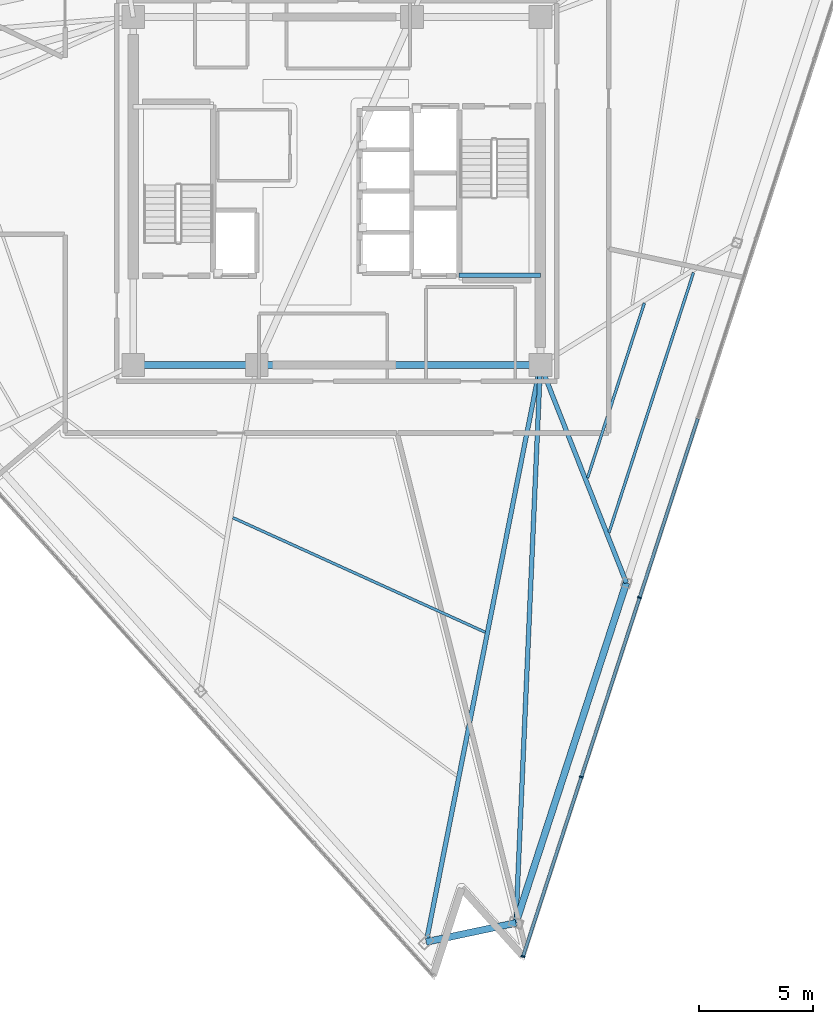
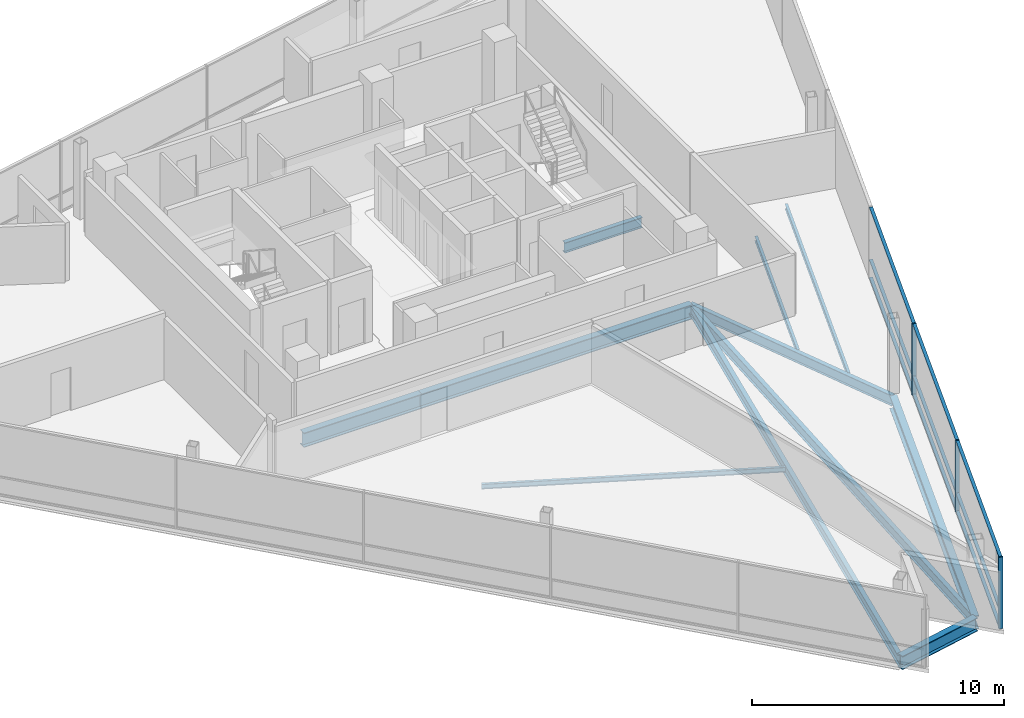
# One storey, part 4 of 15: 12 members, 11 beams, 1 element without a shape of its own.
"""IFC4 building model written with IfcOpenShell, lengths in metres."""

from ifc_helpers import new_model, si_unit, direction, frame, origin, origin_2d, place, context, subcontext, project, spatial, rectangle, i_section, extrude, material, layer, layer_set, material_profile, profile_set, type_object, element, aggregate, save


model = new_model("IFC4")

# Units and contexts
model_context = context("Model", 3, precision=1e-05, world=origin(), true_north=direction((0.0, 1.0)))
body_context = subcontext(model_context, "Body", "Model", "MODEL_VIEW")
ifc_project = project(units=[si_unit("LENGTHUNIT", "METRE"), si_unit("AREAUNIT", "SQUARE_METRE"), si_unit("VOLUMEUNIT", "CUBIC_METRE"), si_unit("PLANEANGLEUNIT", "RADIAN"), si_unit("MASSUNIT", "GRAM", prefix="KILO")], contexts=[model_context])

# Site, building, storey
site_placement = place(None, origin())
site = spatial("IfcSite", under=ifc_project, at=site_placement, CompositionType="ELEMENT")
building_placement = place(site_placement, origin())
building = spatial("IfcBuilding", under=site, at=building_placement, Name="Tharavind Bronze Gate", CompositionType="ELEMENT")
storey_placement = place(building_placement, frame((0.0, 0.0, 290.699951171875)))
storey = spatial("IfcBuildingStorey", under=building, at=storey_placement, Name="L75", CompositionType="ELEMENT", Elevation=290.699951171875)

# Curtain wall, members
ifc_material_1 = material(Name="Anodised Bronze Aluminium", Category="aluminium")
ifc_layer = layer(ifc_material_1, 0.219970703125)
ifc_layer_set = layer_set([ifc_layer], Name="Anodised Bronze Aluminium")
curtain_wall_type = type_object("IfcCurtainWallType", Name="UNITISED CURTAIN WALL CROWN", PredefinedType="USERDEFINED", material=ifc_layer_set)
curtain_wall_placement = place(storey_placement, origin())
curtain_wall = element("IfcCurtainWall", 1, at=curtain_wall_placement, inside=storey, type_object=curtain_wall_type, Name="L75 unitised curtain wall crown CW-L75-S2", ObjectType="UNITISED CURTAIN WALL", PredefinedType="USERDEFINED")
member_type_1 = type_object("IfcMemberType", Name="CURTAIN WALL BRONZE MULLION 65X180", PredefinedType="MULLION", material=ifc_material_1)
member_1_placement = place(storey_placement, frame((8.14111328125, -33.462646484375, 0.0), z_axis=(0.0, 0.0, 1.0), x_axis=(0.309016994375, 0.951056516295, 0.0)))
member_1 = element("IfcMember", 2, at=member_1_placement, type_object=member_type_1, Name="CW-L75-S2 mullion 1", PredefinedType="MULLION", context=body_context, shape_type="SweptSolid", body=[
    extrude(rectangle(XDim=0.06494140625, YDim=0.179931640625, at=origin_2d()), origin(), (0.0, 0.0, 1.0), 3.465087890625),
])
member_2_placement = place(storey_placement, frame((10.68994140625, -25.618408203125, 0.0), z_axis=(0.0, 0.0, 1.0), x_axis=(0.309016994375, 0.951056516295, 0.0)))
member_2 = element("IfcMember", 3, at=member_2_placement, type_object=member_type_1, Name="CW-L75-S2 mullion 2", PredefinedType="MULLION", context=body_context, shape_type="SweptSolid", body=[
    extrude(rectangle(XDim=0.06494140625, YDim=0.179931640625, at=origin_2d()), origin(), (0.0, 0.0, 1.0), 3.465087890625),
])
member_3_placement = place(storey_placement, frame((13.23876953125, -17.77392578125, 0.0), z_axis=(0.0, 0.0, 1.0), x_axis=(0.309016994375, 0.951056516295, 0.0)))
member_3 = element("IfcMember", 4, at=member_3_placement, type_object=member_type_1, Name="CW-L75-S2 mullion 3", PredefinedType="MULLION", context=body_context, shape_type="SweptSolid", body=[
    extrude(rectangle(XDim=0.06494140625, YDim=0.179931640625, at=origin_2d()), origin(), (0.0, 0.0, 1.0), 3.465087890625),
])
member_type_2 = type_object("IfcMemberType", Name="CURTAIN WALL BRONZE TRANSOM 65X140", PredefinedType="USERDEFINED", material=ifc_material_1)
member_4_placement = place(storey_placement, frame((9.41552734375, -29.54052734375, 0.0), z_axis=(0.0, 0.0, 1.0), x_axis=(0.309016994375, 0.951056516295, 0.0)))
member_4 = element("IfcMember", 5, at=member_4_placement, type_object=member_type_2, Name="CW-L75-S2 transom TB1", ObjectType="TRANSOM", PredefinedType="USERDEFINED", context=body_context, shape_type="SweptSolid", body=[
    extrude(rectangle(XDim=8.195068359375, YDim=0.139892578125, at=origin_2d()), origin(), (0.0, 0.0, 1.0), 0.06494140625),
])
member_5_placement = place(storey_placement, frame((9.41552734375, -29.54052734375, 0.86767578125), z_axis=(0.0, 0.0, 1.0), x_axis=(0.309016994375, 0.951056516295, 0.0)))
member_5 = element("IfcMember", 6, at=member_5_placement, type_object=member_type_2, Name="CW-L75-S2 transom TS1", ObjectType="TRANSOM", PredefinedType="USERDEFINED", context=body_context, shape_type="SweptSolid", body=[
    extrude(rectangle(XDim=8.195068359375, YDim=0.139892578125, at=origin_2d()), origin(), (0.0, 0.0, 1.0), 0.06494140625),
])
member_6_placement = place(storey_placement, frame((9.41552734375, -29.54052734375, 3.400146484375), z_axis=(0.0, 0.0, 1.0), x_axis=(0.309016994375, 0.951056516295, 0.0)))
member_6 = element("IfcMember", 7, at=member_6_placement, type_object=member_type_2, Name="CW-L75-S2 transom TT1", ObjectType="TRANSOM", PredefinedType="USERDEFINED", context=body_context, shape_type="SweptSolid", body=[
    extrude(rectangle(XDim=8.195068359375, YDim=0.139892578125, at=origin_2d()), origin(), (0.0, 0.0, 1.0), 0.06494140625),
])
member_7_placement = place(storey_placement, frame((11.96435546875, -21.6962890625, 0.0), z_axis=(0.0, 0.0, 1.0), x_axis=(0.309016994375, 0.951056516295, 0.0)))
member_7 = element("IfcMember", 8, at=member_7_placement, type_object=member_type_2, Name="CW-L75-S2 transom TB2", ObjectType="TRANSOM", PredefinedType="USERDEFINED", context=body_context, shape_type="SweptSolid", body=[
    extrude(rectangle(XDim=8.195068359375, YDim=0.139892578125, at=origin_2d()), origin(), (0.0, 0.0, 1.0), 0.06494140625),
])
member_8_placement = place(storey_placement, frame((11.96435546875, -21.6962890625, 0.86767578125), z_axis=(0.0, 0.0, 1.0), x_axis=(0.309016994375, 0.951056516295, 0.0)))
member_8 = element("IfcMember", 9, at=member_8_placement, type_object=member_type_2, Name="CW-L75-S2 transom TS2", ObjectType="TRANSOM", PredefinedType="USERDEFINED", context=body_context, shape_type="SweptSolid", body=[
    extrude(rectangle(XDim=8.195068359375, YDim=0.139892578125, at=origin_2d()), origin(), (0.0, 0.0, 1.0), 0.06494140625),
])
member_9_placement = place(storey_placement, frame((11.96435546875, -21.6962890625, 3.400146484375), z_axis=(0.0, 0.0, 1.0), x_axis=(0.309016994375, 0.951056516295, 0.0)))
member_9 = element("IfcMember", 10, at=member_9_placement, type_object=member_type_2, Name="CW-L75-S2 transom TT2", ObjectType="TRANSOM", PredefinedType="USERDEFINED", context=body_context, shape_type="SweptSolid", body=[
    extrude(rectangle(XDim=8.195068359375, YDim=0.139892578125, at=origin_2d()), origin(), (0.0, 0.0, 1.0), 0.06494140625),
])
member_10_placement = place(storey_placement, frame((14.51318359375, -13.851806640625, 0.0), z_axis=(0.0, 0.0, 1.0), x_axis=(0.309016994375, 0.951056516295, 0.0)))
member_10 = element("IfcMember", 11, at=member_10_placement, type_object=member_type_2, Name="CW-L75-S2 transom TB3", ObjectType="TRANSOM", PredefinedType="USERDEFINED", context=body_context, shape_type="SweptSolid", body=[
    extrude(rectangle(XDim=8.195068359375, YDim=0.139892578125, at=origin_2d()), origin(), (0.0, 0.0, 1.0), 0.06494140625),
])
member_11_placement = place(storey_placement, frame((14.51318359375, -13.851806640625, 0.86767578125), z_axis=(0.0, 0.0, 1.0), x_axis=(0.309016994375, 0.951056516295, 0.0)))
member_11 = element("IfcMember", 12, at=member_11_placement, type_object=member_type_2, Name="CW-L75-S2 transom TS3", ObjectType="TRANSOM", PredefinedType="USERDEFINED", context=body_context, shape_type="SweptSolid", body=[
    extrude(rectangle(XDim=8.195068359375, YDim=0.139892578125, at=origin_2d()), origin(), (0.0, 0.0, 1.0), 0.06494140625),
])
member_12_placement = place(storey_placement, frame((14.51318359375, -13.851806640625, 3.400146484375), z_axis=(0.0, 0.0, 1.0), x_axis=(0.309016994375, 0.951056516295, 0.0)))
member_12 = element("IfcMember", 13, at=member_12_placement, type_object=member_type_2, Name="CW-L75-S2 transom TT3", ObjectType="TRANSOM", PredefinedType="USERDEFINED", context=body_context, shape_type="SweptSolid", body=[
    extrude(rectangle(XDim=8.195068359375, YDim=0.139892578125, at=origin_2d()), origin(), (0.0, 0.0, 1.0), 0.06494140625),
])
aggregate(curtain_wall, [member_1, member_2, member_3, member_4, member_5, member_6, member_7, member_8, member_9, member_10, member_11, member_12])

# Beams
ifc_material_2 = material(Name="Steel S355", Category="steel")
ifc_material_profile_1 = material_profile(ifc_material_2, i_section(OverallWidth=0.300048828125, OverallDepth=0.64990234375, WebThickness=0.01611328125, FlangeThickness=0.031005859375, at=origin_2d()), Name="HE650B")
ifc_profile_set_1 = profile_set([ifc_material_profile_1], Name="Steel S355")
beam_type_1 = type_object("IfcBeamType", Name="PRIMARY GIRDER HE650B", PredefinedType="USERDEFINED", material=ifc_profile_set_1)
beam_1_placement = place(storey_placement, frame((3.908935546875, -32.82861328125, -0.510009765625), z_axis=(0.978162875873, 0.207839813954, 0.0), x_axis=(-0.207839813954, 0.978162875873, 0.0)))
element("IfcBeam", 14, at=beam_1_placement, inside=storey, type_object=beam_type_1, Name="L75 primary girder he650b BM-L75-PRG04", ObjectType="GIRDER", PredefinedType="USERDEFINED", context=body_context, shape_type="SweptSolid", body=[
    extrude(i_section(OverallWidth=0.300048828125, OverallDepth=0.64990234375, WebThickness=0.01611328125, FlangeThickness=0.031005859375, at=origin_2d()), origin(), (0.0, 0.0, 1.0), 4.0078125),
])
beam_2_placement = place(storey_placement, frame((7.829345703125, -31.99560546875, -0.510009765625), z_axis=(0.309011547215, 0.951058286168, 0.0), x_axis=(-0.951058286168, 0.309011547215, 0.0)))
element("IfcBeam", 15, at=beam_2_placement, inside=storey, type_object=beam_type_1, Name="L75 primary girder he650b BM-L75-PRG05", ObjectType="GIRDER", PredefinedType="USERDEFINED", context=body_context, shape_type="SweptSolid", body=[
    extrude(i_section(OverallWidth=0.300048828125, OverallDepth=0.64990234375, WebThickness=0.01611328125, FlangeThickness=0.031005859375, at=origin_2d()), origin(), (0.0, 0.0, 1.0), 15.6298828125),
])
ifc_material_profile_2 = material_profile(ifc_material_2, i_section(OverallWidth=0.199951171875, OverallDepth=0.5, WebThickness=0.01025390625, FlangeThickness=0.01611328125, at=origin_2d()), Name="IPE500")
ifc_profile_set_2 = profile_set([ifc_material_profile_2], Name="Steel S355")
beam_type_2 = type_object("IfcBeamType", Name="PRIMARY GIRDER IPE500", PredefinedType="USERDEFINED", material=ifc_profile_set_2)
beam_3_placement = place(storey_placement, frame((5.35009765625, -3.679931640625, 1.375), z_axis=(1.0, 0.0, 0.0), x_axis=(0.0, 1.0, 0.0)))
element("IfcBeam", 16, at=beam_3_placement, inside=storey, type_object=beam_type_2, Name="L75 primary girder ipe500 BM-LD-ST2-L75-1", ObjectType="GIRDER", PredefinedType="USERDEFINED", context=body_context, shape_type="SweptSolid", body=[
    extrude(i_section(OverallWidth=0.199951171875, OverallDepth=0.5, WebThickness=0.01025390625, FlangeThickness=0.01611328125, at=origin_2d()), origin(), (0.0, 0.0, 1.0), 3.5498046875),
])
beam_4_placement = place(storey_placement, frame((3.908935546875, -32.82861328125, -0.43505859375), z_axis=(0.194069196249, 0.980987842467, 0.0), x_axis=(-0.980987842467, 0.194069196249, 0.0)))
element("IfcBeam", 17, at=beam_4_placement, inside=storey, type_object=beam_type_2, Name="L75 primary girder ipe500 BM-L75-RAD04", ObjectType="GIRDER", PredefinedType="USERDEFINED", context=body_context, shape_type="SweptSolid", body=[
    extrude(i_section(OverallWidth=0.199951171875, OverallDepth=0.5, WebThickness=0.01025390625, FlangeThickness=0.01611328125, at=origin_2d()), origin(), (0.0, 0.0, 1.0), 25.717529296875),
])
beam_5_placement = place(storey_placement, frame((7.829345703125, -31.99560546875, -0.43505859375), z_axis=(0.043841158128, 0.9990385142, 0.0), x_axis=(-0.9990385142, 0.043841158128, 0.0)))
element("IfcBeam", 18, at=beam_5_placement, inside=storey, type_object=beam_type_2, Name="L75 primary girder ipe500 BM-L75-RAD05", ObjectType="GIRDER", PredefinedType="USERDEFINED", context=body_context, shape_type="SweptSolid", body=[
    extrude(i_section(OverallWidth=0.199951171875, OverallDepth=0.5, WebThickness=0.01025390625, FlangeThickness=0.01611328125, at=origin_2d()), origin(), (0.0, 0.0, 1.0), 24.4189453125),
])
beam_6_placement = place(storey_placement, frame((12.6591796875, -17.130615234375, -0.43505859375), z_axis=(-0.366932678931, 0.930247498859, 0.0), x_axis=(-0.930247498859, -0.366932678931, 0.0)))
element("IfcBeam", 19, at=beam_6_placement, inside=storey, type_object=beam_type_2, Name="L75 primary girder ipe500 BM-L75-RAD06", ObjectType="GIRDER", PredefinedType="USERDEFINED", context=body_context, shape_type="SweptSolid", body=[
    extrude(i_section(OverallWidth=0.199951171875, OverallDepth=0.5, WebThickness=0.01025390625, FlangeThickness=0.01611328125, at=origin_2d()), origin(), (0.0, 0.0, 1.0), 10.2451171875),
])
ifc_material_profile_3 = material_profile(ifc_material_2, i_section(OverallWidth=0.300048828125, OverallDepth=0.699951171875, WebThickness=0.01708984375, FlangeThickness=0.031982421875, at=origin_2d()), Name="HE700B")
ifc_profile_set_3 = profile_set([ifc_material_profile_3], Name="Steel S355")
beam_type_3 = type_object("IfcBeamType", Name="RING GIRDER HE700B", PredefinedType="USERDEFINED", material=ifc_profile_set_3)
beam_7_placement = place(storey_placement, frame((-8.89990234375, -7.60009765625, -0.534912109375), z_axis=(1.0, 0.0, 0.0), x_axis=(0.0, 1.0, 0.0)))
element("IfcBeam", 20, at=beam_7_placement, inside=storey, type_object=beam_type_3, Name="L75 ring girder he700b BM-L75-CR1", ObjectType="GIRDER", PredefinedType="USERDEFINED", context=body_context, shape_type="SweptSolid", body=[
    extrude(i_section(OverallWidth=0.300048828125, OverallDepth=0.699951171875, WebThickness=0.01708984375, FlangeThickness=0.031982421875, at=origin_2d()), origin(), (0.0, 0.0, 1.0), 5.39990234375),
])
beam_8_placement = place(storey_placement, frame((-3.5, -7.60009765625, -0.534912109375), z_axis=(1.0, 0.0, 0.0), x_axis=(0.0, 1.0, 0.0)))
element("IfcBeam", 21, at=beam_8_placement, inside=storey, type_object=beam_type_3, Name="L75 ring girder he700b BM-L75-CR2", ObjectType="GIRDER", PredefinedType="USERDEFINED", context=body_context, shape_type="SweptSolid", body=[
    extrude(i_section(OverallWidth=0.300048828125, OverallDepth=0.699951171875, WebThickness=0.01708984375, FlangeThickness=0.031982421875, at=origin_2d()), origin(), (0.0, 0.0, 1.0), 12.39990234375),
])
ifc_material_profile_4 = material_profile(ifc_material_2, i_section(OverallWidth=0.1201171875, OverallDepth=0.239990234375, WebThickness=0.006103515625, FlangeThickness=0.009765625, at=origin_2d()), Name="IPE240")
ifc_profile_set_4 = profile_set([ifc_material_profile_4], Name="Steel S355")
beam_type_4 = type_object("IfcBeamType", Name="SECONDARY FLOOR JOIST IPE240", PredefinedType="JOIST", material=ifc_profile_set_4)
beam_9_placement = place(storey_placement, frame((-4.543212890625, -14.2822265625, -0.304931640625), z_axis=(0.910570075217, -0.413354736419, 0.0), x_axis=(0.413354736419, 0.910570075217, 0.0)))
element("IfcBeam", 22, at=beam_9_placement, inside=storey, type_object=beam_type_4, Name="L75 secondary floor joist ipe240 BM-L75-JSTA03", PredefinedType="JOIST", context=body_context, shape_type="SweptSolid", body=[
    extrude(i_section(OverallWidth=0.1201171875, OverallDepth=0.239990234375, WebThickness=0.006103515625, FlangeThickness=0.009765625, at=origin_2d()), origin(), (0.0, 0.0, 1.0), 12.10791015625),
])
beam_10_placement = place(storey_placement, frame((10.9609375, -12.545654296875, -0.304931640625), z_axis=(0.309014681119, 0.951057267914, 0.0), x_axis=(-0.951057267914, 0.309014681119, 0.0)))
element("IfcBeam", 23, at=beam_10_placement, inside=storey, type_object=beam_type_4, Name="L75 secondary floor joist ipe240 BM-L75-JSTA06", PredefinedType="JOIST", context=body_context, shape_type="SweptSolid", body=[
    extrude(i_section(OverallWidth=0.1201171875, OverallDepth=0.239990234375, WebThickness=0.006103515625, FlangeThickness=0.009765625, at=origin_2d()), origin(), (0.0, 0.0, 1.0), 8.0419921875),
])
beam_11_placement = place(storey_placement, frame((11.90087890625, -14.92822265625, -0.304931640625), z_axis=(0.309022779796, 0.951054636478, 0.0), x_axis=(-0.951054636478, 0.309022779796, 0.0)))
element("IfcBeam", 24, at=beam_11_placement, inside=storey, type_object=beam_type_4, Name="L75 secondary floor joist ipe240 BM-L75-JSTB06", PredefinedType="JOIST", context=body_context, shape_type="SweptSolid", body=[
    extrude(i_section(OverallWidth=0.1201171875, OverallDepth=0.239990234375, WebThickness=0.006103515625, FlangeThickness=0.009765625, at=origin_2d()), origin(), (0.0, 0.0, 1.0), 11.949462890625),
])

save(model, "model.ifc")
